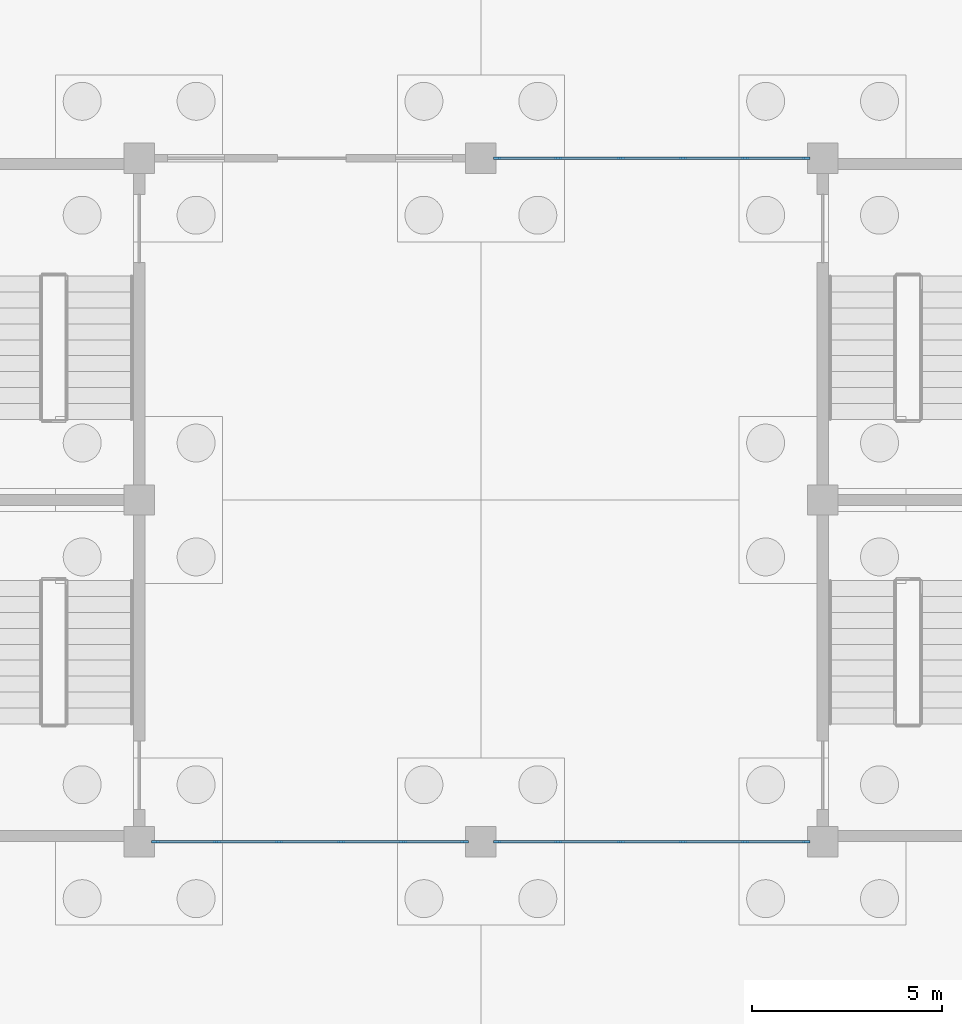
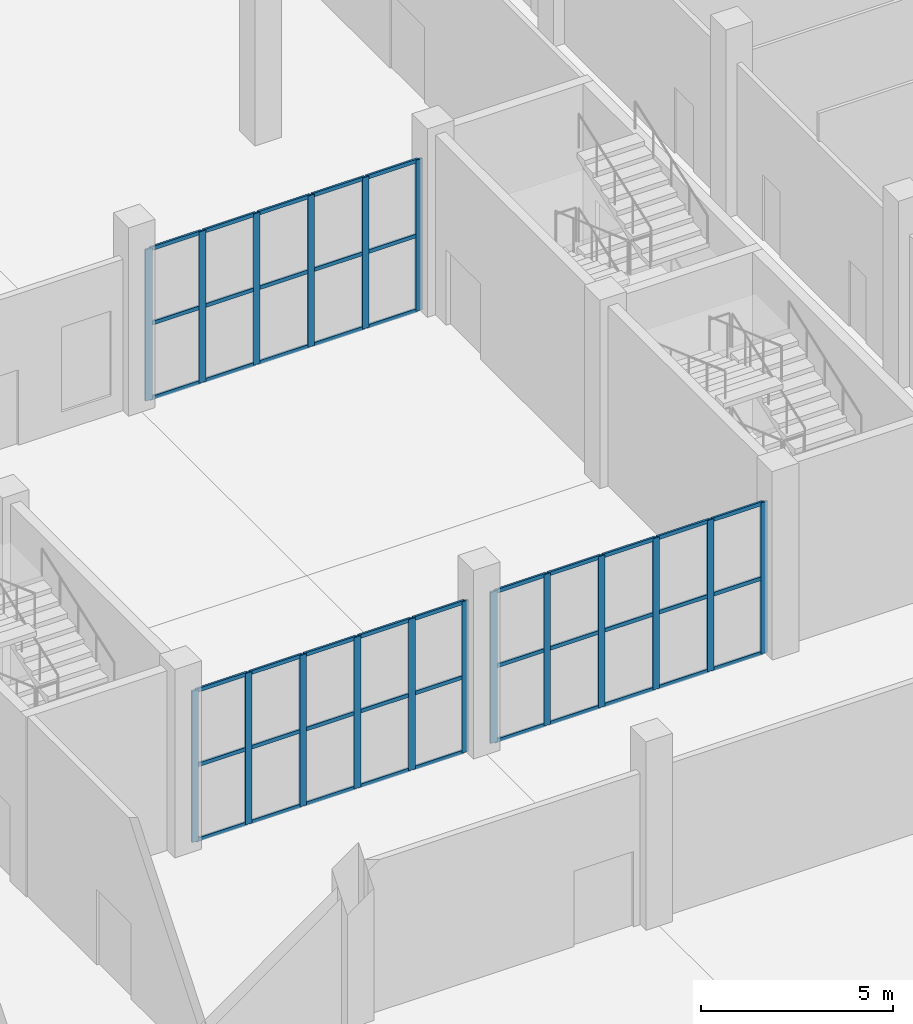
# One storey, part 36 of 198: 63 members, 3 elements without a shape of their own.
"""IFC4 building model written with IfcOpenShell, lengths in metres."""

from ifc_helpers import new_model, si_unit, direction, frame, origin, origin_2d, place, context, subcontext, project, spatial, rectangle, extrude, material, layer, layer_set, material_profile, profile_set, type_object, element, aggregate, save


model = new_model("IFC4")

# Units and contexts
model_context = context("Model", 3, precision=1e-05, world=origin(), true_north=direction((0.0, 1.0)))
body_context = subcontext(model_context, "Body", "Model", "MODEL_VIEW")
ifc_project = project(units=[si_unit("LENGTHUNIT", "METRE"), si_unit("AREAUNIT", "SQUARE_METRE"), si_unit("VOLUMEUNIT", "CUBIC_METRE"), si_unit("PLANEANGLEUNIT", "RADIAN"), si_unit("MASSUNIT", "GRAM", prefix="KILO")], contexts=[model_context])

# Site, building, storey
site_placement = place(None, origin())
site = spatial("IfcSite", under=ifc_project, at=site_placement, CompositionType="ELEMENT")
building_placement = place(site_placement, origin())
building = spatial("IfcBuilding", under=site, at=building_placement, Name="Opaline Strait Convention Centre", CompositionType="ELEMENT")
storey_placement = place(building_placement, origin())
storey = spatial("IfcBuildingStorey", under=building, at=storey_placement, Name="L00", CompositionType="ELEMENT", Elevation=0.0)

# Curtain wall, members
ifc_material_1 = material(Name="Aluminium framed double glazing", Category="aluminium")
ifc_layer = layer(ifc_material_1, 0.199951171875)
ifc_layer_set = layer_set([ifc_layer], Name="Aluminium framed double glazing")
curtain_wall_type = type_object("IfcCurtainWallType", Name="Curtain wall 1500 module", PredefinedType="NOTDEFINED", material=ifc_layer_set)
curtain_wall_1_placement = place(storey_placement, origin())
curtain_wall_1 = element("IfcCurtainWall", 1, at=curtain_wall_1_placement, inside=storey, type_object=curtain_wall_type, Name="L00 court glazing Sc 1", PredefinedType="NOTDEFINED")
ifc_material_2 = material(Name="Aluminium alloy 6063", Category="aluminium")
ifc_material_profile_1 = material_profile(ifc_material_2, rectangle(XDim=0.06005859375, YDim=0.199951171875, at=origin_2d()), Name="Curtain wall mullion 60x200")
ifc_profile_set_1 = profile_set([ifc_material_profile_1], Name="Aluminium alloy 6063")
member_type_1 = type_object("IfcMemberType", Name="Curtain wall mullion 60x200", PredefinedType="MULLION", material=ifc_profile_set_1)
member_1_placement = place(storey_placement, frame((36.429931640625, 45.0, 0.0), z_axis=(0.0, 0.0, 1.0), x_axis=(0.0, 1.0, 0.0)))
member_1 = element("IfcMember", 2, at=member_1_placement, type_object=member_type_1, Name="RCW1 mullion 1", PredefinedType="MULLION", context=body_context, shape_type="SweptSolid", body=[
    extrude(rectangle(XDim=0.06005859375, YDim=0.199951171875, at=origin_2d()), origin(), (0.0, 0.0, 1.0), 4.820068359375),
])
member_2_placement = place(storey_placement, frame((38.0400390625, 45.0, 0.0), z_axis=(0.0, 0.0, 1.0), x_axis=(0.0, 1.0, 0.0)))
member_2 = element("IfcMember", 3, at=member_2_placement, type_object=member_type_1, Name="RCW1 mullion 2", PredefinedType="MULLION", context=body_context, shape_type="SweptSolid", body=[
    extrude(rectangle(XDim=0.06005859375, YDim=0.199951171875, at=origin_2d()), origin(), (0.0, 0.0, 1.0), 4.820068359375),
])
member_3_placement = place(storey_placement, frame((39.679931640625, 45.0, 0.0), z_axis=(0.0, 0.0, 1.0), x_axis=(0.0, 1.0, 0.0)))
member_3 = element("IfcMember", 4, at=member_3_placement, type_object=member_type_1, Name="RCW1 mullion 3", PredefinedType="MULLION", context=body_context, shape_type="SweptSolid", body=[
    extrude(rectangle(XDim=0.06005859375, YDim=0.199951171875, at=origin_2d()), origin(), (0.0, 0.0, 1.0), 4.820068359375),
])
member_4_placement = place(storey_placement, frame((41.320068359375, 45.0, 0.0), z_axis=(0.0, 0.0, 1.0), x_axis=(0.0, 1.0, 0.0)))
member_4 = element("IfcMember", 5, at=member_4_placement, type_object=member_type_1, Name="RCW1 mullion 4", PredefinedType="MULLION", context=body_context, shape_type="SweptSolid", body=[
    extrude(rectangle(XDim=0.06005859375, YDim=0.199951171875, at=origin_2d()), origin(), (0.0, 0.0, 1.0), 4.820068359375),
])
member_5_placement = place(storey_placement, frame((42.9599609375, 45.0, 0.0), z_axis=(0.0, 0.0, 1.0), x_axis=(0.0, 1.0, 0.0)))
member_5 = element("IfcMember", 6, at=member_5_placement, type_object=member_type_1, Name="RCW1 mullion 5", PredefinedType="MULLION", context=body_context, shape_type="SweptSolid", body=[
    extrude(rectangle(XDim=0.06005859375, YDim=0.199951171875, at=origin_2d()), origin(), (0.0, 0.0, 1.0), 4.820068359375),
])
member_6_placement = place(storey_placement, frame((44.570068359375, 45.0, 0.0), z_axis=(0.0, 0.0, 1.0), x_axis=(0.0, 1.0, 0.0)))
member_6 = element("IfcMember", 7, at=member_6_placement, type_object=member_type_1, Name="RCW1 mullion 6", PredefinedType="MULLION", context=body_context, shape_type="SweptSolid", body=[
    extrude(rectangle(XDim=0.06005859375, YDim=0.199951171875, at=origin_2d()), origin(), (0.0, 0.0, 1.0), 4.820068359375),
])

curtain_wall_2_placement = place(storey_placement, origin())
curtain_wall_2 = element("IfcCurtainWall", 8, at=curtain_wall_2_placement, inside=storey, type_object=curtain_wall_type, Name="L00 court glazing Sc 2", PredefinedType="NOTDEFINED")
member_7_placement = place(storey_placement, frame((45.429931640625, 45.0, 0.0), z_axis=(0.0, 0.0, 1.0), x_axis=(0.0, 1.0, 0.0)))
member_7 = element("IfcMember", 9, at=member_7_placement, type_object=member_type_1, Name="RCW1 mullion 1", PredefinedType="MULLION", context=body_context, shape_type="SweptSolid", body=[
    extrude(rectangle(XDim=0.06005859375, YDim=0.199951171875, at=origin_2d()), origin(), (0.0, 0.0, 1.0), 4.820068359375),
])
member_8_placement = place(storey_placement, frame((47.0400390625, 45.0, 0.0), z_axis=(0.0, 0.0, 1.0), x_axis=(0.0, 1.0, 0.0)))
member_8 = element("IfcMember", 10, at=member_8_placement, type_object=member_type_1, Name="RCW1 mullion 2", PredefinedType="MULLION", context=body_context, shape_type="SweptSolid", body=[
    extrude(rectangle(XDim=0.06005859375, YDim=0.199951171875, at=origin_2d()), origin(), (0.0, 0.0, 1.0), 4.820068359375),
])
member_9_placement = place(storey_placement, frame((48.679931640625, 45.0, 0.0), z_axis=(0.0, 0.0, 1.0), x_axis=(0.0, 1.0, 0.0)))
member_9 = element("IfcMember", 11, at=member_9_placement, type_object=member_type_1, Name="RCW1 mullion 3", PredefinedType="MULLION", context=body_context, shape_type="SweptSolid", body=[
    extrude(rectangle(XDim=0.06005859375, YDim=0.199951171875, at=origin_2d()), origin(), (0.0, 0.0, 1.0), 4.820068359375),
])
member_10_placement = place(storey_placement, frame((50.320068359375, 45.0, 0.0), z_axis=(0.0, 0.0, 1.0), x_axis=(0.0, 1.0, 0.0)))
member_10 = element("IfcMember", 12, at=member_10_placement, type_object=member_type_1, Name="RCW1 mullion 4", PredefinedType="MULLION", context=body_context, shape_type="SweptSolid", body=[
    extrude(rectangle(XDim=0.06005859375, YDim=0.199951171875, at=origin_2d()), origin(), (0.0, 0.0, 1.0), 4.820068359375),
])
member_11_placement = place(storey_placement, frame((51.9599609375, 45.0, 0.0), z_axis=(0.0, 0.0, 1.0), x_axis=(0.0, 1.0, 0.0)))
member_11 = element("IfcMember", 13, at=member_11_placement, type_object=member_type_1, Name="RCW1 mullion 5", PredefinedType="MULLION", context=body_context, shape_type="SweptSolid", body=[
    extrude(rectangle(XDim=0.06005859375, YDim=0.199951171875, at=origin_2d()), origin(), (0.0, 0.0, 1.0), 4.820068359375),
])
member_12_placement = place(storey_placement, frame((53.570068359375, 45.0, 0.0), z_axis=(0.0, 0.0, 1.0), x_axis=(0.0, 1.0, 0.0)))
member_12 = element("IfcMember", 14, at=member_12_placement, type_object=member_type_1, Name="RCW1 mullion 6", PredefinedType="MULLION", context=body_context, shape_type="SweptSolid", body=[
    extrude(rectangle(XDim=0.06005859375, YDim=0.199951171875, at=origin_2d()), origin(), (0.0, 0.0, 1.0), 4.820068359375),
])

curtain_wall_3_placement = place(storey_placement, origin())
curtain_wall_3 = element("IfcCurtainWall", 15, at=curtain_wall_3_placement, inside=storey, type_object=curtain_wall_type, Name="L00 court glazing Nc 2", PredefinedType="NOTDEFINED")
member_13_placement = place(storey_placement, frame((45.429931640625, 63.0, 0.0), z_axis=(0.0, 0.0, 1.0), x_axis=(0.0, 1.0, 0.0)))
member_13 = element("IfcMember", 16, at=member_13_placement, type_object=member_type_1, Name="RCW1 mullion 1", PredefinedType="MULLION", context=body_context, shape_type="SweptSolid", body=[
    extrude(rectangle(XDim=0.06005859375, YDim=0.199951171875, at=origin_2d()), origin(), (0.0, 0.0, 1.0), 4.820068359375),
])
member_14_placement = place(storey_placement, frame((47.0400390625, 63.0, 0.0), z_axis=(0.0, 0.0, 1.0), x_axis=(0.0, 1.0, 0.0)))
member_14 = element("IfcMember", 17, at=member_14_placement, type_object=member_type_1, Name="RCW1 mullion 2", PredefinedType="MULLION", context=body_context, shape_type="SweptSolid", body=[
    extrude(rectangle(XDim=0.06005859375, YDim=0.199951171875, at=origin_2d()), origin(), (0.0, 0.0, 1.0), 4.820068359375),
])
member_15_placement = place(storey_placement, frame((48.679931640625, 63.0, 0.0), z_axis=(0.0, 0.0, 1.0), x_axis=(0.0, 1.0, 0.0)))
member_15 = element("IfcMember", 18, at=member_15_placement, type_object=member_type_1, Name="RCW1 mullion 3", PredefinedType="MULLION", context=body_context, shape_type="SweptSolid", body=[
    extrude(rectangle(XDim=0.06005859375, YDim=0.199951171875, at=origin_2d()), origin(), (0.0, 0.0, 1.0), 4.820068359375),
])
member_16_placement = place(storey_placement, frame((50.320068359375, 63.0, 0.0), z_axis=(0.0, 0.0, 1.0), x_axis=(0.0, 1.0, 0.0)))
member_16 = element("IfcMember", 19, at=member_16_placement, type_object=member_type_1, Name="RCW1 mullion 4", PredefinedType="MULLION", context=body_context, shape_type="SweptSolid", body=[
    extrude(rectangle(XDim=0.06005859375, YDim=0.199951171875, at=origin_2d()), origin(), (0.0, 0.0, 1.0), 4.820068359375),
])
member_17_placement = place(storey_placement, frame((51.9599609375, 63.0, 0.0), z_axis=(0.0, 0.0, 1.0), x_axis=(0.0, 1.0, 0.0)))
member_17 = element("IfcMember", 20, at=member_17_placement, type_object=member_type_1, Name="RCW1 mullion 5", PredefinedType="MULLION", context=body_context, shape_type="SweptSolid", body=[
    extrude(rectangle(XDim=0.06005859375, YDim=0.199951171875, at=origin_2d()), origin(), (0.0, 0.0, 1.0), 4.820068359375),
])
member_18_placement = place(storey_placement, frame((53.570068359375, 63.0, 0.0), z_axis=(0.0, 0.0, 1.0), x_axis=(0.0, 1.0, 0.0)))
member_18 = element("IfcMember", 21, at=member_18_placement, type_object=member_type_1, Name="RCW1 mullion 6", PredefinedType="MULLION", context=body_context, shape_type="SweptSolid", body=[
    extrude(rectangle(XDim=0.06005859375, YDim=0.199951171875, at=origin_2d()), origin(), (0.0, 0.0, 1.0), 4.820068359375),
])

# Member
ifc_material_profile_2 = material_profile(ifc_material_2, rectangle(XDim=0.06005859375, YDim=0.1201171875, at=origin_2d()), Name="Curtain wall transom 60x120")
ifc_profile_set_2 = profile_set([ifc_material_profile_2], Name="Aluminium alloy 6063")
member_type_2 = type_object("IfcMemberType", Name="Curtain wall transom 60x120", PredefinedType="USERDEFINED", material=ifc_profile_set_2)
member_19_placement = place(storey_placement, frame((36.4599609375, 45.0, 0.030029296875), z_axis=(1.0, 0.0, 0.0), x_axis=(0.0, 1.0, 0.0)))
member_19 = element("IfcMember", 22, at=member_19_placement, type_object=member_type_2, Name="RCW1 transom 1.1", ObjectType="TRANSOM", PredefinedType="USERDEFINED", context=body_context, shape_type="SweptSolid", body=[
    extrude(rectangle(XDim=0.06005859375, YDim=0.1201171875, at=origin_2d()), origin(), (0.0, 0.0, 1.0), 1.550048828125),
])

member_20_placement = place(storey_placement, frame((36.4599609375, 45.0, 2.409912109375), z_axis=(1.0, 0.0, 0.0), x_axis=(0.0, 1.0, 0.0)))
member_20 = element("IfcMember", 23, at=member_20_placement, type_object=member_type_2, Name="RCW1 transom 1.2", ObjectType="TRANSOM", PredefinedType="USERDEFINED", context=body_context, shape_type="SweptSolid", body=[
    extrude(rectangle(XDim=0.06005859375, YDim=0.1201171875, at=origin_2d()), origin(), (0.0, 0.0, 1.0), 1.550048828125),
])

member_21_placement = place(storey_placement, frame((36.4599609375, 45.0, 4.7900390625), z_axis=(1.0, 0.0, 0.0), x_axis=(0.0, 1.0, 0.0)))
member_21 = element("IfcMember", 24, at=member_21_placement, type_object=member_type_2, Name="RCW1 transom 1.3", ObjectType="TRANSOM", PredefinedType="USERDEFINED", context=body_context, shape_type="SweptSolid", body=[
    extrude(rectangle(XDim=0.06005859375, YDim=0.1201171875, at=origin_2d()), origin(), (0.0, 0.0, 1.0), 1.550048828125),
])

member_22_placement = place(storey_placement, frame((38.06982421875, 45.0, 0.030029296875), z_axis=(1.0, 0.0, 0.0), x_axis=(0.0, 1.0, 0.0)))
member_22 = element("IfcMember", 25, at=member_22_placement, type_object=member_type_2, Name="RCW1 transom 2.1", ObjectType="TRANSOM", PredefinedType="USERDEFINED", context=body_context, shape_type="SweptSolid", body=[
    extrude(rectangle(XDim=0.06005859375, YDim=0.1201171875, at=origin_2d()), origin(), (0.0, 0.0, 1.0), 1.580078125),
])

member_23_placement = place(storey_placement, frame((38.06982421875, 45.0, 2.409912109375), z_axis=(1.0, 0.0, 0.0), x_axis=(0.0, 1.0, 0.0)))
member_23 = element("IfcMember", 26, at=member_23_placement, type_object=member_type_2, Name="RCW1 transom 2.2", ObjectType="TRANSOM", PredefinedType="USERDEFINED", context=body_context, shape_type="SweptSolid", body=[
    extrude(rectangle(XDim=0.06005859375, YDim=0.1201171875, at=origin_2d()), origin(), (0.0, 0.0, 1.0), 1.580078125),
])

member_24_placement = place(storey_placement, frame((38.06982421875, 45.0, 4.7900390625), z_axis=(1.0, 0.0, 0.0), x_axis=(0.0, 1.0, 0.0)))
member_24 = element("IfcMember", 27, at=member_24_placement, type_object=member_type_2, Name="RCW1 transom 2.3", ObjectType="TRANSOM", PredefinedType="USERDEFINED", context=body_context, shape_type="SweptSolid", body=[
    extrude(rectangle(XDim=0.06005859375, YDim=0.1201171875, at=origin_2d()), origin(), (0.0, 0.0, 1.0), 1.580078125),
])

member_25_placement = place(storey_placement, frame((39.7099609375, 45.0, 0.030029296875), z_axis=(1.0, 0.0, 0.0), x_axis=(0.0, 1.0, 0.0)))
member_25 = element("IfcMember", 28, at=member_25_placement, type_object=member_type_2, Name="RCW1 transom 3.1", ObjectType="TRANSOM", PredefinedType="USERDEFINED", context=body_context, shape_type="SweptSolid", body=[
    extrude(rectangle(XDim=0.06005859375, YDim=0.1201171875, at=origin_2d()), origin(), (0.0, 0.0, 1.0), 1.580078125),
])

member_26_placement = place(storey_placement, frame((39.7099609375, 45.0, 2.409912109375), z_axis=(1.0, 0.0, 0.0), x_axis=(0.0, 1.0, 0.0)))
member_26 = element("IfcMember", 29, at=member_26_placement, type_object=member_type_2, Name="RCW1 transom 3.2", ObjectType="TRANSOM", PredefinedType="USERDEFINED", context=body_context, shape_type="SweptSolid", body=[
    extrude(rectangle(XDim=0.06005859375, YDim=0.1201171875, at=origin_2d()), origin(), (0.0, 0.0, 1.0), 1.580078125),
])

member_27_placement = place(storey_placement, frame((39.7099609375, 45.0, 4.7900390625), z_axis=(1.0, 0.0, 0.0), x_axis=(0.0, 1.0, 0.0)))
member_27 = element("IfcMember", 30, at=member_27_placement, type_object=member_type_2, Name="RCW1 transom 3.3", ObjectType="TRANSOM", PredefinedType="USERDEFINED", context=body_context, shape_type="SweptSolid", body=[
    extrude(rectangle(XDim=0.06005859375, YDim=0.1201171875, at=origin_2d()), origin(), (0.0, 0.0, 1.0), 1.580078125),
])

member_28_placement = place(storey_placement, frame((41.35009765625, 45.0, 0.030029296875), z_axis=(1.0, 0.0, 0.0), x_axis=(0.0, 1.0, 0.0)))
member_28 = element("IfcMember", 31, at=member_28_placement, type_object=member_type_2, Name="RCW1 transom 4.1", ObjectType="TRANSOM", PredefinedType="USERDEFINED", context=body_context, shape_type="SweptSolid", body=[
    extrude(rectangle(XDim=0.06005859375, YDim=0.1201171875, at=origin_2d()), origin(), (0.0, 0.0, 1.0), 1.580078125),
])

member_29_placement = place(storey_placement, frame((41.35009765625, 45.0, 2.409912109375), z_axis=(1.0, 0.0, 0.0), x_axis=(0.0, 1.0, 0.0)))
member_29 = element("IfcMember", 32, at=member_29_placement, type_object=member_type_2, Name="RCW1 transom 4.2", ObjectType="TRANSOM", PredefinedType="USERDEFINED", context=body_context, shape_type="SweptSolid", body=[
    extrude(rectangle(XDim=0.06005859375, YDim=0.1201171875, at=origin_2d()), origin(), (0.0, 0.0, 1.0), 1.580078125),
])

member_30_placement = place(storey_placement, frame((41.35009765625, 45.0, 4.7900390625), z_axis=(1.0, 0.0, 0.0), x_axis=(0.0, 1.0, 0.0)))
member_30 = element("IfcMember", 33, at=member_30_placement, type_object=member_type_2, Name="RCW1 transom 4.3", ObjectType="TRANSOM", PredefinedType="USERDEFINED", context=body_context, shape_type="SweptSolid", body=[
    extrude(rectangle(XDim=0.06005859375, YDim=0.1201171875, at=origin_2d()), origin(), (0.0, 0.0, 1.0), 1.580078125),
])

member_31_placement = place(storey_placement, frame((42.989990234375, 45.0, 0.030029296875), z_axis=(1.0, 0.0, 0.0), x_axis=(0.0, 1.0, 0.0)))
member_31 = element("IfcMember", 34, at=member_31_placement, type_object=member_type_2, Name="RCW1 transom 5.1", ObjectType="TRANSOM", PredefinedType="USERDEFINED", context=body_context, shape_type="SweptSolid", body=[
    extrude(rectangle(XDim=0.06005859375, YDim=0.1201171875, at=origin_2d()), origin(), (0.0, 0.0, 1.0), 1.550048828125),
])

member_32_placement = place(storey_placement, frame((42.989990234375, 45.0, 2.409912109375), z_axis=(1.0, 0.0, 0.0), x_axis=(0.0, 1.0, 0.0)))
member_32 = element("IfcMember", 35, at=member_32_placement, type_object=member_type_2, Name="RCW1 transom 5.2", ObjectType="TRANSOM", PredefinedType="USERDEFINED", context=body_context, shape_type="SweptSolid", body=[
    extrude(rectangle(XDim=0.06005859375, YDim=0.1201171875, at=origin_2d()), origin(), (0.0, 0.0, 1.0), 1.550048828125),
])

member_33_placement = place(storey_placement, frame((42.989990234375, 45.0, 4.7900390625), z_axis=(1.0, 0.0, 0.0), x_axis=(0.0, 1.0, 0.0)))
member_33 = element("IfcMember", 36, at=member_33_placement, type_object=member_type_2, Name="RCW1 transom 5.3", ObjectType="TRANSOM", PredefinedType="USERDEFINED", context=body_context, shape_type="SweptSolid", body=[
    extrude(rectangle(XDim=0.06005859375, YDim=0.1201171875, at=origin_2d()), origin(), (0.0, 0.0, 1.0), 1.550048828125),
])

aggregate(curtain_wall_1, [member_1, member_2, member_3, member_4, member_5, member_6, member_19, member_20, member_21, member_22, member_23, member_24, member_25, member_26, member_27, member_28, member_29, member_30, member_31, member_32, member_33])

member_34_placement = place(storey_placement, frame((45.4599609375, 45.0, 0.030029296875), z_axis=(1.0, 0.0, 0.0), x_axis=(0.0, 1.0, 0.0)))
member_34 = element("IfcMember", 37, at=member_34_placement, type_object=member_type_2, Name="RCW1 transom 1.1", ObjectType="TRANSOM", PredefinedType="USERDEFINED", context=body_context, shape_type="SweptSolid", body=[
    extrude(rectangle(XDim=0.06005859375, YDim=0.1201171875, at=origin_2d()), origin(), (0.0, 0.0, 1.0), 1.550048828125),
])

member_35_placement = place(storey_placement, frame((45.4599609375, 45.0, 2.409912109375), z_axis=(1.0, 0.0, 0.0), x_axis=(0.0, 1.0, 0.0)))
member_35 = element("IfcMember", 38, at=member_35_placement, type_object=member_type_2, Name="RCW1 transom 1.2", ObjectType="TRANSOM", PredefinedType="USERDEFINED", context=body_context, shape_type="SweptSolid", body=[
    extrude(rectangle(XDim=0.06005859375, YDim=0.1201171875, at=origin_2d()), origin(), (0.0, 0.0, 1.0), 1.550048828125),
])

member_36_placement = place(storey_placement, frame((45.4599609375, 45.0, 4.7900390625), z_axis=(1.0, 0.0, 0.0), x_axis=(0.0, 1.0, 0.0)))
member_36 = element("IfcMember", 39, at=member_36_placement, type_object=member_type_2, Name="RCW1 transom 1.3", ObjectType="TRANSOM", PredefinedType="USERDEFINED", context=body_context, shape_type="SweptSolid", body=[
    extrude(rectangle(XDim=0.06005859375, YDim=0.1201171875, at=origin_2d()), origin(), (0.0, 0.0, 1.0), 1.550048828125),
])

member_37_placement = place(storey_placement, frame((47.06982421875, 45.0, 0.030029296875), z_axis=(1.0, 0.0, 0.0), x_axis=(0.0, 1.0, 0.0)))
member_37 = element("IfcMember", 40, at=member_37_placement, type_object=member_type_2, Name="RCW1 transom 2.1", ObjectType="TRANSOM", PredefinedType="USERDEFINED", context=body_context, shape_type="SweptSolid", body=[
    extrude(rectangle(XDim=0.06005859375, YDim=0.1201171875, at=origin_2d()), origin(), (0.0, 0.0, 1.0), 1.580078125),
])

member_38_placement = place(storey_placement, frame((47.06982421875, 45.0, 2.409912109375), z_axis=(1.0, 0.0, 0.0), x_axis=(0.0, 1.0, 0.0)))
member_38 = element("IfcMember", 41, at=member_38_placement, type_object=member_type_2, Name="RCW1 transom 2.2", ObjectType="TRANSOM", PredefinedType="USERDEFINED", context=body_context, shape_type="SweptSolid", body=[
    extrude(rectangle(XDim=0.06005859375, YDim=0.1201171875, at=origin_2d()), origin(), (0.0, 0.0, 1.0), 1.580078125),
])

member_39_placement = place(storey_placement, frame((47.06982421875, 45.0, 4.7900390625), z_axis=(1.0, 0.0, 0.0), x_axis=(0.0, 1.0, 0.0)))
member_39 = element("IfcMember", 42, at=member_39_placement, type_object=member_type_2, Name="RCW1 transom 2.3", ObjectType="TRANSOM", PredefinedType="USERDEFINED", context=body_context, shape_type="SweptSolid", body=[
    extrude(rectangle(XDim=0.06005859375, YDim=0.1201171875, at=origin_2d()), origin(), (0.0, 0.0, 1.0), 1.580078125),
])

member_40_placement = place(storey_placement, frame((48.7099609375, 45.0, 0.030029296875), z_axis=(1.0, 0.0, 0.0), x_axis=(0.0, 1.0, 0.0)))
member_40 = element("IfcMember", 43, at=member_40_placement, type_object=member_type_2, Name="RCW1 transom 3.1", ObjectType="TRANSOM", PredefinedType="USERDEFINED", context=body_context, shape_type="SweptSolid", body=[
    extrude(rectangle(XDim=0.06005859375, YDim=0.1201171875, at=origin_2d()), origin(), (0.0, 0.0, 1.0), 1.580078125),
])

member_41_placement = place(storey_placement, frame((48.7099609375, 45.0, 2.409912109375), z_axis=(1.0, 0.0, 0.0), x_axis=(0.0, 1.0, 0.0)))
member_41 = element("IfcMember", 44, at=member_41_placement, type_object=member_type_2, Name="RCW1 transom 3.2", ObjectType="TRANSOM", PredefinedType="USERDEFINED", context=body_context, shape_type="SweptSolid", body=[
    extrude(rectangle(XDim=0.06005859375, YDim=0.1201171875, at=origin_2d()), origin(), (0.0, 0.0, 1.0), 1.580078125),
])

member_42_placement = place(storey_placement, frame((48.7099609375, 45.0, 4.7900390625), z_axis=(1.0, 0.0, 0.0), x_axis=(0.0, 1.0, 0.0)))
member_42 = element("IfcMember", 45, at=member_42_placement, type_object=member_type_2, Name="RCW1 transom 3.3", ObjectType="TRANSOM", PredefinedType="USERDEFINED", context=body_context, shape_type="SweptSolid", body=[
    extrude(rectangle(XDim=0.06005859375, YDim=0.1201171875, at=origin_2d()), origin(), (0.0, 0.0, 1.0), 1.580078125),
])

member_43_placement = place(storey_placement, frame((50.35009765625, 45.0, 0.030029296875), z_axis=(1.0, 0.0, 0.0), x_axis=(0.0, 1.0, 0.0)))
member_43 = element("IfcMember", 46, at=member_43_placement, type_object=member_type_2, Name="RCW1 transom 4.1", ObjectType="TRANSOM", PredefinedType="USERDEFINED", context=body_context, shape_type="SweptSolid", body=[
    extrude(rectangle(XDim=0.06005859375, YDim=0.1201171875, at=origin_2d()), origin(), (0.0, 0.0, 1.0), 1.580078125),
])

member_44_placement = place(storey_placement, frame((50.35009765625, 45.0, 2.409912109375), z_axis=(1.0, 0.0, 0.0), x_axis=(0.0, 1.0, 0.0)))
member_44 = element("IfcMember", 47, at=member_44_placement, type_object=member_type_2, Name="RCW1 transom 4.2", ObjectType="TRANSOM", PredefinedType="USERDEFINED", context=body_context, shape_type="SweptSolid", body=[
    extrude(rectangle(XDim=0.06005859375, YDim=0.1201171875, at=origin_2d()), origin(), (0.0, 0.0, 1.0), 1.580078125),
])

member_45_placement = place(storey_placement, frame((50.35009765625, 45.0, 4.7900390625), z_axis=(1.0, 0.0, 0.0), x_axis=(0.0, 1.0, 0.0)))
member_45 = element("IfcMember", 48, at=member_45_placement, type_object=member_type_2, Name="RCW1 transom 4.3", ObjectType="TRANSOM", PredefinedType="USERDEFINED", context=body_context, shape_type="SweptSolid", body=[
    extrude(rectangle(XDim=0.06005859375, YDim=0.1201171875, at=origin_2d()), origin(), (0.0, 0.0, 1.0), 1.580078125),
])

member_46_placement = place(storey_placement, frame((51.989990234375, 45.0, 0.030029296875), z_axis=(1.0, 0.0, 0.0), x_axis=(0.0, 1.0, 0.0)))
member_46 = element("IfcMember", 49, at=member_46_placement, type_object=member_type_2, Name="RCW1 transom 5.1", ObjectType="TRANSOM", PredefinedType="USERDEFINED", context=body_context, shape_type="SweptSolid", body=[
    extrude(rectangle(XDim=0.06005859375, YDim=0.1201171875, at=origin_2d()), origin(), (0.0, 0.0, 1.0), 1.550048828125),
])

member_47_placement = place(storey_placement, frame((51.989990234375, 45.0, 2.409912109375), z_axis=(1.0, 0.0, 0.0), x_axis=(0.0, 1.0, 0.0)))
member_47 = element("IfcMember", 50, at=member_47_placement, type_object=member_type_2, Name="RCW1 transom 5.2", ObjectType="TRANSOM", PredefinedType="USERDEFINED", context=body_context, shape_type="SweptSolid", body=[
    extrude(rectangle(XDim=0.06005859375, YDim=0.1201171875, at=origin_2d()), origin(), (0.0, 0.0, 1.0), 1.550048828125),
])

member_48_placement = place(storey_placement, frame((51.989990234375, 45.0, 4.7900390625), z_axis=(1.0, 0.0, 0.0), x_axis=(0.0, 1.0, 0.0)))
member_48 = element("IfcMember", 51, at=member_48_placement, type_object=member_type_2, Name="RCW1 transom 5.3", ObjectType="TRANSOM", PredefinedType="USERDEFINED", context=body_context, shape_type="SweptSolid", body=[
    extrude(rectangle(XDim=0.06005859375, YDim=0.1201171875, at=origin_2d()), origin(), (0.0, 0.0, 1.0), 1.550048828125),
])

aggregate(curtain_wall_2, [member_7, member_8, member_9, member_10, member_11, member_12, member_34, member_35, member_36, member_37, member_38, member_39, member_40, member_41, member_42, member_43, member_44, member_45, member_46, member_47, member_48])

member_49_placement = place(storey_placement, frame((45.4599609375, 63.0, 0.030029296875), z_axis=(1.0, 0.0, 0.0), x_axis=(0.0, 1.0, 0.0)))
member_49 = element("IfcMember", 52, at=member_49_placement, type_object=member_type_2, Name="RCW1 transom 1.1", ObjectType="TRANSOM", PredefinedType="USERDEFINED", context=body_context, shape_type="SweptSolid", body=[
    extrude(rectangle(XDim=0.06005859375, YDim=0.1201171875, at=origin_2d()), origin(), (0.0, 0.0, 1.0), 1.550048828125),
])

member_50_placement = place(storey_placement, frame((45.4599609375, 63.0, 2.409912109375), z_axis=(1.0, 0.0, 0.0), x_axis=(0.0, 1.0, 0.0)))
member_50 = element("IfcMember", 53, at=member_50_placement, type_object=member_type_2, Name="RCW1 transom 1.2", ObjectType="TRANSOM", PredefinedType="USERDEFINED", context=body_context, shape_type="SweptSolid", body=[
    extrude(rectangle(XDim=0.06005859375, YDim=0.1201171875, at=origin_2d()), origin(), (0.0, 0.0, 1.0), 1.550048828125),
])

member_51_placement = place(storey_placement, frame((45.4599609375, 63.0, 4.7900390625), z_axis=(1.0, 0.0, 0.0), x_axis=(0.0, 1.0, 0.0)))
member_51 = element("IfcMember", 54, at=member_51_placement, type_object=member_type_2, Name="RCW1 transom 1.3", ObjectType="TRANSOM", PredefinedType="USERDEFINED", context=body_context, shape_type="SweptSolid", body=[
    extrude(rectangle(XDim=0.06005859375, YDim=0.1201171875, at=origin_2d()), origin(), (0.0, 0.0, 1.0), 1.550048828125),
])

member_52_placement = place(storey_placement, frame((47.06982421875, 63.0, 0.030029296875), z_axis=(1.0, 0.0, 0.0), x_axis=(0.0, 1.0, 0.0)))
member_52 = element("IfcMember", 55, at=member_52_placement, type_object=member_type_2, Name="RCW1 transom 2.1", ObjectType="TRANSOM", PredefinedType="USERDEFINED", context=body_context, shape_type="SweptSolid", body=[
    extrude(rectangle(XDim=0.06005859375, YDim=0.1201171875, at=origin_2d()), origin(), (0.0, 0.0, 1.0), 1.580078125),
])

member_53_placement = place(storey_placement, frame((47.06982421875, 63.0, 2.409912109375), z_axis=(1.0, 0.0, 0.0), x_axis=(0.0, 1.0, 0.0)))
member_53 = element("IfcMember", 56, at=member_53_placement, type_object=member_type_2, Name="RCW1 transom 2.2", ObjectType="TRANSOM", PredefinedType="USERDEFINED", context=body_context, shape_type="SweptSolid", body=[
    extrude(rectangle(XDim=0.06005859375, YDim=0.1201171875, at=origin_2d()), origin(), (0.0, 0.0, 1.0), 1.580078125),
])

member_54_placement = place(storey_placement, frame((47.06982421875, 63.0, 4.7900390625), z_axis=(1.0, 0.0, 0.0), x_axis=(0.0, 1.0, 0.0)))
member_54 = element("IfcMember", 57, at=member_54_placement, type_object=member_type_2, Name="RCW1 transom 2.3", ObjectType="TRANSOM", PredefinedType="USERDEFINED", context=body_context, shape_type="SweptSolid", body=[
    extrude(rectangle(XDim=0.06005859375, YDim=0.1201171875, at=origin_2d()), origin(), (0.0, 0.0, 1.0), 1.580078125),
])

member_55_placement = place(storey_placement, frame((48.7099609375, 63.0, 0.030029296875), z_axis=(1.0, 0.0, 0.0), x_axis=(0.0, 1.0, 0.0)))
member_55 = element("IfcMember", 58, at=member_55_placement, type_object=member_type_2, Name="RCW1 transom 3.1", ObjectType="TRANSOM", PredefinedType="USERDEFINED", context=body_context, shape_type="SweptSolid", body=[
    extrude(rectangle(XDim=0.06005859375, YDim=0.1201171875, at=origin_2d()), origin(), (0.0, 0.0, 1.0), 1.580078125),
])

member_56_placement = place(storey_placement, frame((48.7099609375, 63.0, 2.409912109375), z_axis=(1.0, 0.0, 0.0), x_axis=(0.0, 1.0, 0.0)))
member_56 = element("IfcMember", 59, at=member_56_placement, type_object=member_type_2, Name="RCW1 transom 3.2", ObjectType="TRANSOM", PredefinedType="USERDEFINED", context=body_context, shape_type="SweptSolid", body=[
    extrude(rectangle(XDim=0.06005859375, YDim=0.1201171875, at=origin_2d()), origin(), (0.0, 0.0, 1.0), 1.580078125),
])

member_57_placement = place(storey_placement, frame((48.7099609375, 63.0, 4.7900390625), z_axis=(1.0, 0.0, 0.0), x_axis=(0.0, 1.0, 0.0)))
member_57 = element("IfcMember", 60, at=member_57_placement, type_object=member_type_2, Name="RCW1 transom 3.3", ObjectType="TRANSOM", PredefinedType="USERDEFINED", context=body_context, shape_type="SweptSolid", body=[
    extrude(rectangle(XDim=0.06005859375, YDim=0.1201171875, at=origin_2d()), origin(), (0.0, 0.0, 1.0), 1.580078125),
])

member_58_placement = place(storey_placement, frame((50.35009765625, 63.0, 0.030029296875), z_axis=(1.0, 0.0, 0.0), x_axis=(0.0, 1.0, 0.0)))
member_58 = element("IfcMember", 61, at=member_58_placement, type_object=member_type_2, Name="RCW1 transom 4.1", ObjectType="TRANSOM", PredefinedType="USERDEFINED", context=body_context, shape_type="SweptSolid", body=[
    extrude(rectangle(XDim=0.06005859375, YDim=0.1201171875, at=origin_2d()), origin(), (0.0, 0.0, 1.0), 1.580078125),
])

member_59_placement = place(storey_placement, frame((50.35009765625, 63.0, 2.409912109375), z_axis=(1.0, 0.0, 0.0), x_axis=(0.0, 1.0, 0.0)))
member_59 = element("IfcMember", 62, at=member_59_placement, type_object=member_type_2, Name="RCW1 transom 4.2", ObjectType="TRANSOM", PredefinedType="USERDEFINED", context=body_context, shape_type="SweptSolid", body=[
    extrude(rectangle(XDim=0.06005859375, YDim=0.1201171875, at=origin_2d()), origin(), (0.0, 0.0, 1.0), 1.580078125),
])

member_60_placement = place(storey_placement, frame((50.35009765625, 63.0, 4.7900390625), z_axis=(1.0, 0.0, 0.0), x_axis=(0.0, 1.0, 0.0)))
member_60 = element("IfcMember", 63, at=member_60_placement, type_object=member_type_2, Name="RCW1 transom 4.3", ObjectType="TRANSOM", PredefinedType="USERDEFINED", context=body_context, shape_type="SweptSolid", body=[
    extrude(rectangle(XDim=0.06005859375, YDim=0.1201171875, at=origin_2d()), origin(), (0.0, 0.0, 1.0), 1.580078125),
])

member_61_placement = place(storey_placement, frame((51.989990234375, 63.0, 0.030029296875), z_axis=(1.0, 0.0, 0.0), x_axis=(0.0, 1.0, 0.0)))
member_61 = element("IfcMember", 64, at=member_61_placement, type_object=member_type_2, Name="RCW1 transom 5.1", ObjectType="TRANSOM", PredefinedType="USERDEFINED", context=body_context, shape_type="SweptSolid", body=[
    extrude(rectangle(XDim=0.06005859375, YDim=0.1201171875, at=origin_2d()), origin(), (0.0, 0.0, 1.0), 1.550048828125),
])

member_62_placement = place(storey_placement, frame((51.989990234375, 63.0, 2.409912109375), z_axis=(1.0, 0.0, 0.0), x_axis=(0.0, 1.0, 0.0)))
member_62 = element("IfcMember", 65, at=member_62_placement, type_object=member_type_2, Name="RCW1 transom 5.2", ObjectType="TRANSOM", PredefinedType="USERDEFINED", context=body_context, shape_type="SweptSolid", body=[
    extrude(rectangle(XDim=0.06005859375, YDim=0.1201171875, at=origin_2d()), origin(), (0.0, 0.0, 1.0), 1.550048828125),
])

member_63_placement = place(storey_placement, frame((51.989990234375, 63.0, 4.7900390625), z_axis=(1.0, 0.0, 0.0), x_axis=(0.0, 1.0, 0.0)))
member_63 = element("IfcMember", 66, at=member_63_placement, type_object=member_type_2, Name="RCW1 transom 5.3", ObjectType="TRANSOM", PredefinedType="USERDEFINED", context=body_context, shape_type="SweptSolid", body=[
    extrude(rectangle(XDim=0.06005859375, YDim=0.1201171875, at=origin_2d()), origin(), (0.0, 0.0, 1.0), 1.550048828125),
])

aggregate(curtain_wall_3, [member_13, member_14, member_15, member_16, member_17, member_18, member_49, member_50, member_51, member_52, member_53, member_54, member_55, member_56, member_57, member_58, member_59, member_60, member_61, member_62, member_63])

save(model, "model.ifc")
